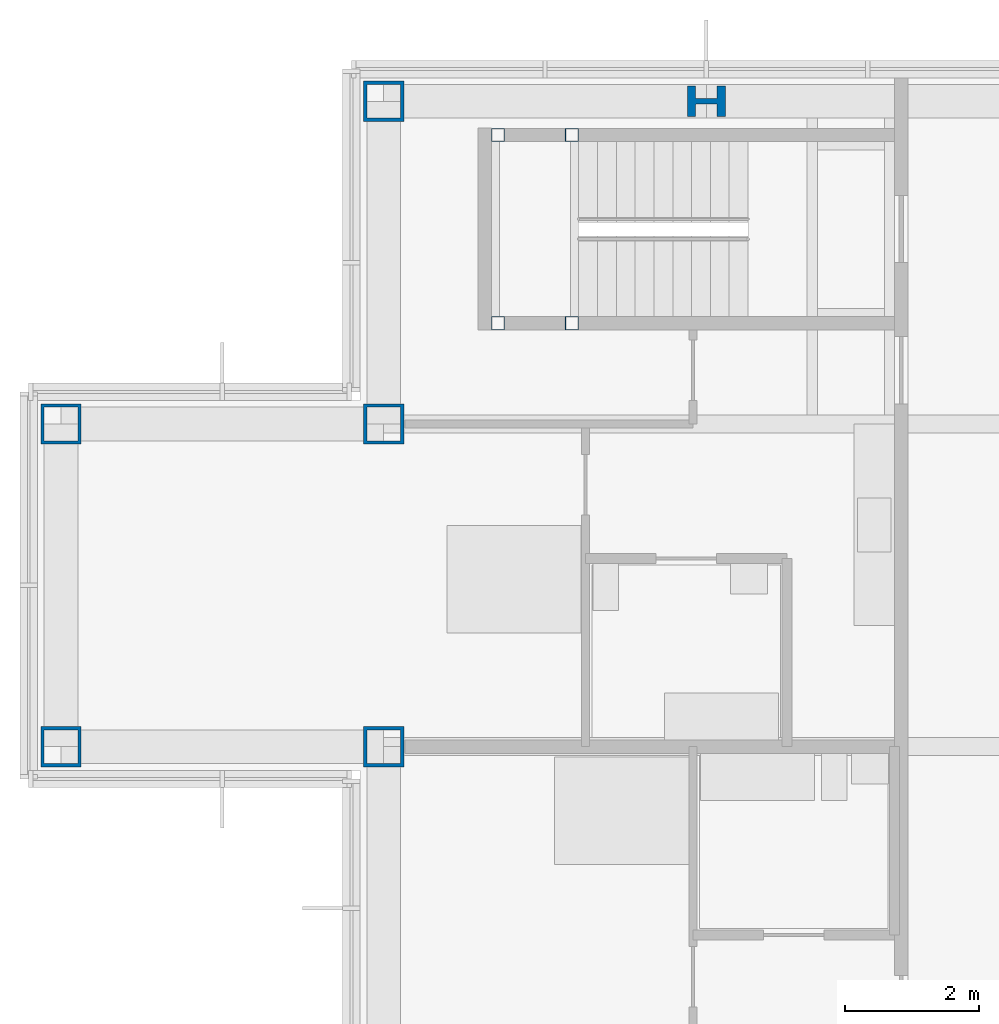
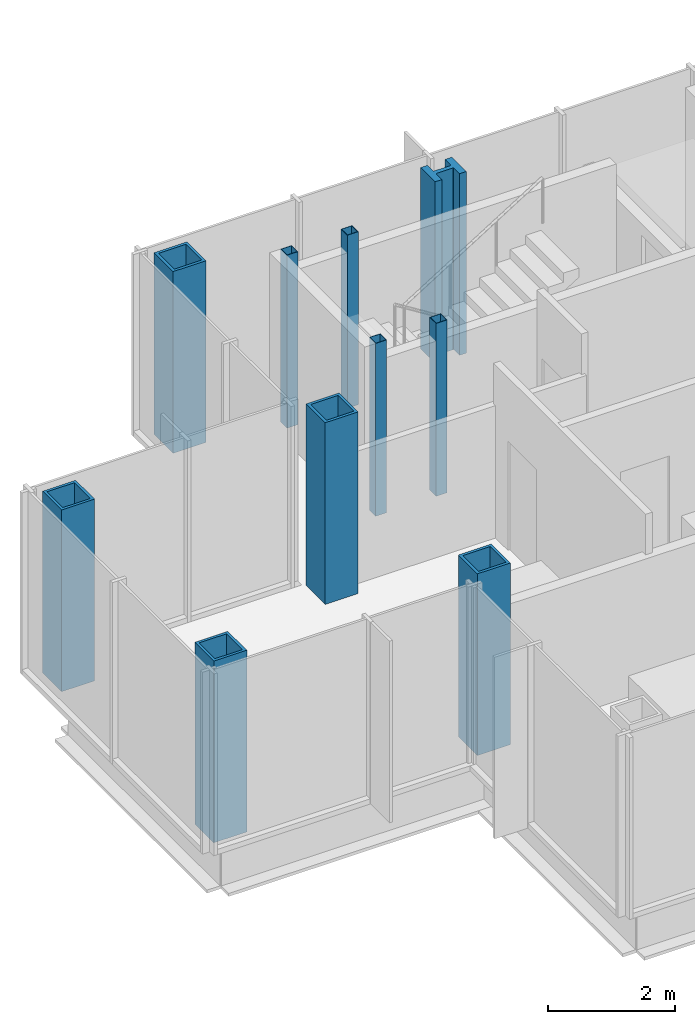
# One storey, part 3 of 15: 10 columns.
"""IFC4 building model written with IfcOpenShell, lengths in metres."""

import ifcopenshell
import ifcopenshell.guid

model = None  # the IFC model being written
_history = None  # IfcOwnerHistory: only IFC2X3 demands one
_inside = {}  # id of a spatial element -> (the spatial element, [elements in it])
_under = {}  # id of a project, library or spatial element -> (it, [spatial elements below it])
_declared = {}  # id of a project -> (the project, [libraries it declares])
_typed = {}  # id of a type object -> (the type object, [elements of that type])
_made_of = {}  # id of a material, layer set ... -> (it, [elements and type objects made of it])


def new_model(schema):
    """Start an empty IFC model of exactly this schema.

    Asked for "IFC4X3", IfcOpenShell would pick the latest addendum, in which some entities
    have other attributes; the version numbers below select the first issue.
    IFC2X3 requires an IfcOwnerHistory on every rooted entity: one is made here for all.
    """
    global model, _history
    if schema == "IFC4X3":
        model = ifcopenshell.file(schema_version=(4, 3, 0, 0))
    else:
        model = ifcopenshell.file(schema=schema)
    _inside.clear()
    _under.clear()
    _declared.clear()
    _typed.clear()
    _made_of.clear()
    _history = None
    if model.schema == "IFC2X3":
        org = make("IfcOrganization", Name="unknown")
        user = make(
            "IfcPersonAndOrganization",
            ThePerson=make("IfcPerson", FamilyName="unknown"),
            TheOrganization=org,
        )
        app = make(
            "IfcApplication",
            ApplicationDeveloper=org,
            Version="unknown",
            ApplicationFullName="unknown",
            ApplicationIdentifier="unknown",
        )
        _history = make(
            "IfcOwnerHistory",
            OwningUser=user,
            OwningApplication=app,
            ChangeAction="ADDED",
            CreationDate=0,
        )
    return model


def make(cls, **values):
    """One entity of the class cls with the attributes given. An attribute that is None is left unset."""
    return model.create_entity(
        cls, **{name: value for name, value in values.items() if value is not None}
    )


def rooted(cls, **values):
    """An entity with a GlobalId (a new one), such as an element, a storey or a relation."""
    return make(cls, GlobalId=ifcopenshell.guid.new(), OwnerHistory=_history, **values)


def si_unit(unit_type, name, prefix=None):
    """IfcSIUnit, for example si_unit("LENGTHUNIT", "METRE", prefix="MILLI")."""
    return make("IfcSIUnit", UnitType=unit_type, Prefix=prefix, Name=name)


def assignment(units):
    """IfcUnitAssignment: the units of a project."""
    return None if units is None else make("IfcUnitAssignment", Units=units)


def point(xyz):
    """IfcCartesianPoint."""
    return None if xyz is None else make("IfcCartesianPoint", Coordinates=xyz)


def direction(xyz):
    """IfcDirection."""
    return None if xyz is None else make("IfcDirection", DirectionRatios=xyz)


def frame(location, z_axis=None, x_axis=None):
    """IfcAxis2Placement3D, a coordinate frame: its origin and axes. An axis left out is left unset."""
    return make(
        "IfcAxis2Placement3D",
        Location=point(location),
        Axis=direction(z_axis),
        RefDirection=direction(x_axis),
    )


def frame_2d(location, x_axis=None):
    """IfcAxis2Placement2D, a coordinate frame in the plane: its origin and x axis."""
    return make(
        "IfcAxis2Placement2D", Location=point(location), RefDirection=direction(x_axis)
    )


def origin():
    """The frame at (0, 0, 0) with its axes left unset."""
    return frame((0.0, 0.0, 0.0))


def origin_2d():
    """The frame at (0, 0) in the plane with its x axis left unset."""
    return frame_2d((0.0, 0.0))


def place(relative_to, where):
    """IfcLocalPlacement: puts the frame where relative to a parent placement (None: the world)."""
    return make(
        "IfcLocalPlacement", PlacementRelTo=relative_to, RelativePlacement=where
    )


def context(
    kind, dimensions, precision=None, world=None, true_north=None, identifier=None
):
    """IfcGeometricRepresentationContext, for example the 3D "Model" context."""
    return make(
        "IfcGeometricRepresentationContext",
        ContextIdentifier=identifier,
        ContextType=kind,
        CoordinateSpaceDimension=dimensions,
        Precision=precision,
        WorldCoordinateSystem=world,
        TrueNorth=true_north,
    )


def subcontext(parent, identifier, kind, view, scale=None):
    """IfcGeometricRepresentationSubContext, for example "Body" below "Model"."""
    return make(
        "IfcGeometricRepresentationSubContext",
        ContextIdentifier=identifier,
        ContextType=kind,
        ParentContext=parent,
        TargetScale=scale,
        TargetView=view,
    )


def project(units=None, contexts=None):
    """IfcProject with its units and contexts."""
    return rooted(
        "IfcProject",
        Name="project",
        RepresentationContexts=contexts,
        UnitsInContext=assignment(units),
    )


def spatial(cls, under=None, at=None, **own):
    """A site, building, storey or space (cls), placed at a placement, below another one or the project."""
    s = rooted(cls, ObjectPlacement=at, **own)
    if under is not None:
        _under.setdefault(under.id(), (under, []))[1].append(s)
    return s


def profile(cls, at=None, kind="AREA", **sizes):
    """A parametric profile (cls). Its sizes go by their IFC names, for example OverallWidth=200.0."""
    return make(cls, ProfileType=kind, Position=at, **sizes)


def hollow_rectangle(**sizes):
    """IfcRectangleHollowProfileDef."""
    return profile("IfcRectangleHollowProfileDef", **sizes)


def i_section(**sizes):
    """IfcIShapeProfileDef."""
    return profile("IfcIShapeProfileDef", **sizes)


def extrude(swept, where, along, depth):
    """IfcExtrudedAreaSolid: the profile swept, set in the frame where, extruded along a direction by depth."""
    return make(
        "IfcExtrudedAreaSolid",
        SweptArea=swept,
        Position=where,
        ExtrudedDirection=direction(along),
        Depth=depth,
    )


def shape(context_of_items, identifier, shape_type, items):
    """IfcShapeRepresentation: the items that make up one representation, for example the "Body"."""
    return make(
        "IfcShapeRepresentation",
        ContextOfItems=context_of_items,
        RepresentationIdentifier=identifier,
        RepresentationType=shape_type,
        Items=items,
    )


def material(Name=None, Category=None):
    """IfcMaterial."""
    return make("IfcMaterial", Name=Name, Category=Category)


def material_profile(
    of_material, cross_section, Name=None, Category=None, Priority=None
):
    """IfcMaterialProfile: a cross section and its material."""
    return make(
        "IfcMaterialProfile",
        Name=Name,
        Material=of_material,
        Profile=cross_section,
        Priority=Priority,
        Category=Category,
    )


def profile_set(profiles, Name=None, composite=None):
    """IfcMaterialProfileSet."""
    return make(
        "IfcMaterialProfileSet",
        Name=Name,
        MaterialProfiles=profiles,
        CompositeProfile=composite,
    )


def made_of(thing, what):
    """Note that an element or type object is made of a material, layer set ...; save() writes the relation."""
    if what is not None:
        _made_of.setdefault(what.id(), (what, []))[1].append(thing)
    return thing


def type_object(cls, material=None, **own):
    """A type object (cls), such as IfcWallType, which elements share."""
    return made_of(rooted(cls, **own), material)


def element(
    cls,
    number,
    at=None,
    inside=None,
    cuts=None,
    type_object=None,
    material=None,
    context=None,
    identifier="Body",
    shape_type=None,
    held_by="IfcProductDefinitionShape",
    body=None,
    shapes=None,
    **own,
):
    """One element of the class cls, such as IfcWall. Its Tag is "e" and its number.

    at: its placement. inside: the storey or other place that contains it. cuts: it is an
    opening in that element (IfcRelVoidsElement). A single representation is given by context,
    identifier, shape_type and body (its items); several are given by shapes. held_by: the class
    of the entity that holds the representations. save() writes the other relations.
    """
    e = rooted(cls, Tag="e%d" % number, ObjectPlacement=at, **own)
    if body is not None:
        shapes = [shape(context, identifier, shape_type, body)]
    if shapes is not None:
        e.Representation = make(held_by, Representations=shapes)
    if inside is not None:
        _inside.setdefault(inside.id(), (inside, []))[1].append(e)
    if cuts is not None:
        rooted(
            "IfcRelVoidsElement", RelatingBuildingElement=cuts, RelatedOpeningElement=e
        )
    if type_object is not None:
        _typed.setdefault(type_object.id(), (type_object, []))[1].append(e)
    return made_of(e, material)


def aggregate(whole, parts):
    """IfcRelAggregates: a whole, such as a stair, and the parts it consists of."""
    return rooted("IfcRelAggregates", RelatingObject=whole, RelatedObjects=parts)


def save(model, path):
    """Write the relations noted so far, then the file.

    IfcRelAggregates (storeys below a building ...), IfcRelContainedInSpatialStructure (elements
    in a storey), IfcRelDefinesByType, IfcRelAssociatesMaterial and IfcRelDeclares: one each for
    every whole, place, type object, material and project.
    """
    for whole, parts in _under.values():
        aggregate(whole, parts)
    for where, things in _inside.values():
        rooted(
            "IfcRelContainedInSpatialStructure",
            RelatedElements=things,
            RelatingStructure=where,
        )
    for kind, things in _typed.values():
        rooted("IfcRelDefinesByType", RelatedObjects=things, RelatingType=kind)
    for what, things in _made_of.values():
        rooted("IfcRelAssociatesMaterial", RelatedObjects=things, RelatingMaterial=what)
    for by, libraries in _declared.values():
        rooted("IfcRelDeclares", RelatingContext=by, RelatedDefinitions=libraries)
    model.write(path)


model = new_model("IFC4")

# Units and contexts
model_context = context("Model", 3, precision=1e-05, world=origin(), true_north=direction((0.0, 1.0)))
body_context = subcontext(model_context, "Body", "Model", "MODEL_VIEW")
ifc_project = project(units=[si_unit("LENGTHUNIT", "METRE"), si_unit("AREAUNIT", "SQUARE_METRE"), si_unit("VOLUMEUNIT", "CUBIC_METRE"), si_unit("PLANEANGLEUNIT", "RADIAN"), si_unit("MASSUNIT", "GRAM", prefix="KILO")], contexts=[model_context])

# Site, building, storey
site_placement = place(None, origin())
site = spatial("IfcSite", under=ifc_project, at=site_placement, CompositionType="ELEMENT")
building_placement = place(site_placement, origin())
building = spatial("IfcBuilding", under=site, at=building_placement, Name="Kvirike Care Tower", CompositionType="ELEMENT")
storey_placement = place(building_placement, frame((0.0, 0.0, 205.0)))
storey = spatial("IfcBuildingStorey", under=building, at=storey_placement, Name="L56", CompositionType="ELEMENT", Elevation=205.0)

# Columns
ifc_material_1 = material(Name="Steel S460", Category="steel")
ifc_material_profile_1 = material_profile(ifc_material_1, hollow_rectangle(XDim=0.60009765625, YDim=0.60009765625, WallThickness=0.050048828125, at=origin_2d()), Name="BX 600x600x50")
ifc_profile_set_1 = profile_set([ifc_material_profile_1], Name="Steel S460")
column_type_1 = type_object("IfcColumnType", Name="COLUMN BX 600x600x50", PredefinedType="COLUMN", material=ifc_profile_set_1)
for number, where, z_axis, x_axis, name in (
    (1, (0.0, 33.60009765625, 0.0), (0.0, 0.0, 1.0), (0.0, 1.0, 0.0), "Column H3 L56"),
    (2, (0.0, 38.39990234375, 0.0), (0.0, 0.0, 1.0), (0.0, 1.0, 0.0), "Column J3 L56"),
    (3, (4.800048828125, 33.60009765625, 0.0), (0.0, 0.0, 1.0), (0.0, 1.0, 0.0), "Column H4 L56"),
    (4, (4.800048828125, 38.39990234375, 0.0), (0.0, 0.0, 1.0), (0.0, 1.0, 0.0), "Column J4 L56"),
    (5, (4.800048828125, 43.199951171875, 0.0), (0.0, 0.0, 1.0), (0.0, 1.0, 0.0), "Column K4 L56"),
):
    element("IfcColumn", number, at=place(storey_placement, frame(where, z_axis=z_axis, x_axis=x_axis)), inside=storey, type_object=column_type_1, Name=name, PredefinedType="COLUMN", context=body_context, shape_type="SweptSolid", body=[
        extrude(hollow_rectangle(XDim=0.60009765625, YDim=0.60009765625, WallThickness=0.050048828125, at=origin_2d()), origin(), (0.0, 0.0, 1.0), 3.5),
    ])
ifc_material_2 = material(Name="Steel S460", Category="steel")
ifc_material_profile_2 = material_profile(ifc_material_2, i_section(OverallWidth=0.4541015625, OverallDepth=0.569091796875, WebThickness=0.077880859375, FlangeThickness=0.125, FilletRadius=0.014892578125, at=origin_2d()), Name="HD 400x1086")
ifc_profile_set_2 = profile_set([ifc_material_profile_2], Name="Steel S460")
column_type_2 = type_object("IfcColumnType", Name="COLUMN HD 400x1086", PredefinedType="COLUMN", material=ifc_profile_set_2)
column_placement = place(storey_placement, frame((9.60009765625, 43.199951171875, 0.0), z_axis=(0.0, 0.0, 1.0), x_axis=(0.0, 1.0, 0.0)))
element("IfcColumn", 6, at=column_placement, inside=storey, type_object=column_type_2, Name="Column K5 L56", PredefinedType="COLUMN", context=body_context, shape_type="SweptSolid", body=[
    extrude(i_section(OverallWidth=0.4541015625, OverallDepth=0.569091796875, WebThickness=0.077880859375, FlangeThickness=0.125, FilletRadius=0.014892578125, at=origin_2d()), origin(), (0.0, 0.0, 1.0), 3.5),
])
ifc_material_3 = material(Name="Steel S460", Category="steel")
ifc_material_profile_3 = material_profile(ifc_material_3, hollow_rectangle(XDim=0.199951171875, YDim=0.199951171875, WallThickness=0.008056640625, at=origin_2d()), Name="SHS 200x200x8")
ifc_profile_set_3 = profile_set([ifc_material_profile_3], Name="Steel S460")
column_type_3 = type_object("IfcColumnType", Name="STAIR POST SHS 200x200x8", PredefinedType="COLUMN", material=ifc_profile_set_3)
for number, where, z_axis, x_axis, name in (
    (7, (6.5, 42.699951171875, 0.0), (0.0, 0.0, 1.0), (1.0, 0.0, 0.0), "Stair 1 post 1 L56"),
    (8, (6.5, 39.89990234375, 0.0), (0.0, 0.0, 1.0), (1.0, 0.0, 0.0), "Stair 1 post 2 L56"),
    (9, (7.60009765625, 42.699951171875, 0.0), (0.0, 0.0, 1.0), (1.0, 0.0, 0.0), "Stair 1 post 3 L56"),
    (10, (7.60009765625, 39.89990234375, 0.0), (0.0, 0.0, 1.0), (1.0, 0.0, 0.0), "Stair 1 post 4 L56"),
):
    element("IfcColumn", number, at=place(storey_placement, frame(where, z_axis=z_axis, x_axis=x_axis)), inside=storey, type_object=column_type_3, Name=name, PredefinedType="COLUMN", context=body_context, shape_type="SweptSolid", body=[
        extrude(hollow_rectangle(XDim=0.199951171875, YDim=0.199951171875, WallThickness=0.008056640625, at=origin_2d()), origin(), (0.0, 0.0, 1.0), 3.330078125),
    ])

save(model, "model.ifc")
